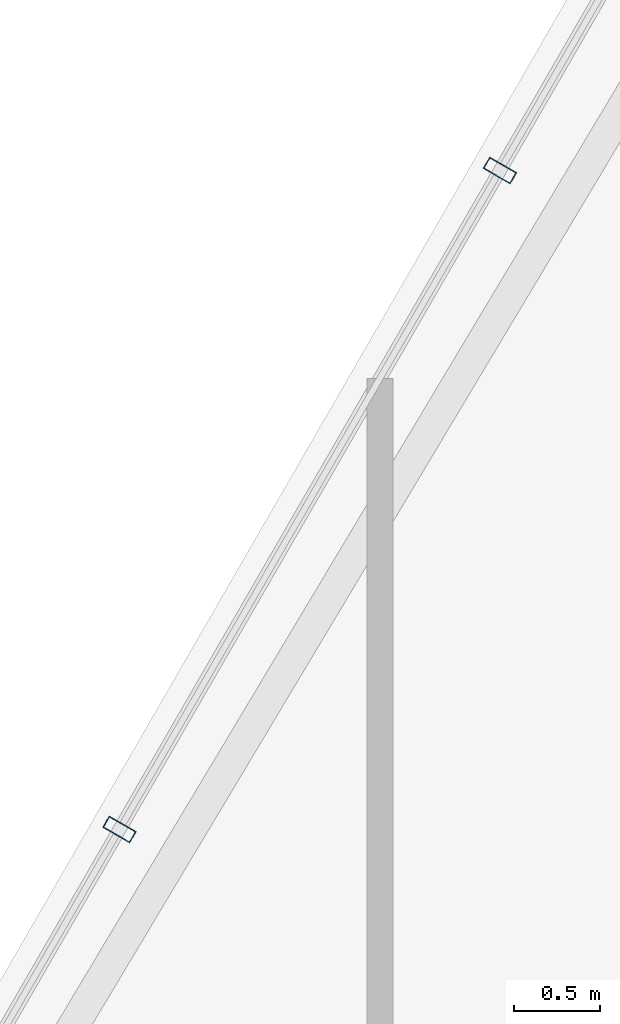
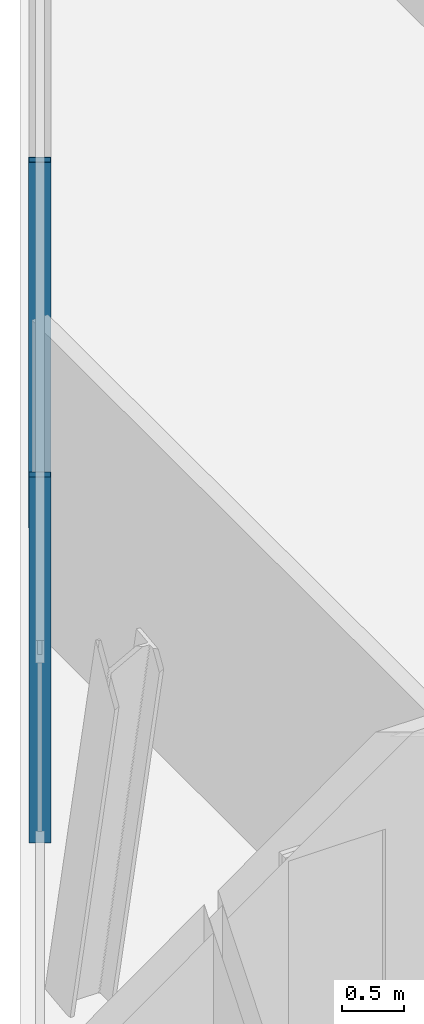
# One storey, part 13 of 32: 2 members, 1 element without a shape of its own.
"""IFC4 building model written with IfcOpenShell, lengths in metres."""

from ifc_helpers import new_model, si_unit, direction, frame, origin, origin_2d, place, context, subcontext, project, spatial, hollow_rectangle, extrude, material, layer, layer_set, material_profile, profile_set, type_object, element, aggregate, save


model = new_model("IFC4")

# Units and contexts
model_context = context("Model", 3, precision=1e-05, world=origin(), true_north=direction((0.0, 1.0)))
body_context = subcontext(model_context, "Body", "Model", "MODEL_VIEW")
ifc_project = project(units=[si_unit("LENGTHUNIT", "METRE"), si_unit("AREAUNIT", "SQUARE_METRE"), si_unit("VOLUMEUNIT", "CUBIC_METRE"), si_unit("PLANEANGLEUNIT", "RADIAN"), si_unit("MASSUNIT", "GRAM", prefix="KILO")], contexts=[model_context])

# Site, building, storey
site_placement = place(None, origin())
site = spatial("IfcSite", under=ifc_project, at=site_placement, CompositionType="ELEMENT")
building_placement = place(site_placement, origin())
building = spatial("IfcBuilding", under=site, at=building_placement, Name="Ndaravel Arena Tower", CompositionType="ELEMENT")
storey_placement = place(building_placement, frame((0.0, 0.0, 259.800048828125)))
storey = spatial("IfcBuildingStorey", under=building, at=storey_placement, Name="L63", CompositionType="ELEMENT", Elevation=259.800048828125)

# Curtain wall, members
ifc_material_1 = material(Name="Aluminium", Category="aluminium")
ifc_layer = layer(ifc_material_1, 0.179931640625)
ifc_layer_set = layer_set([ifc_layer], Name="Aluminium")
curtain_wall_type = type_object("IfcCurtainWallType", Name="CW-SYS-03", PredefinedType="NOTDEFINED", material=ifc_layer_set)
curtain_wall_placement = place(storey_placement, origin())
curtain_wall = element("IfcCurtainWall", 1, at=curtain_wall_placement, inside=storey, type_object=curtain_wall_type, Name="L63 Faceted Crystal Curtain Wall CW-L63-E05", PredefinedType="NOTDEFINED")
ifc_material_2 = material(Name="Aluminium", Category="aluminium")
ifc_material_profile = material_profile(ifc_material_2, hollow_rectangle(XDim=0.074951171875, YDim=0.179931640625, WallThickness=0.00390625, at=origin_2d()), Name="CW MULLION 75x180x4")
ifc_profile_set = profile_set([ifc_material_profile], Name="Aluminium")
member_type = type_object("IfcMemberType", Name="MEM-CW-MUL180", PredefinedType="MULLION", material=ifc_profile_set)
member_1_placement = place(storey_placement, frame((32.38525390625, 33.246337890625, 0.0), z_axis=(0.0, 0.0, 1.0), x_axis=(-0.5, -0.866025403784, 0.0)))
member_1 = element("IfcMember", 2, at=member_1_placement, type_object=member_type, Name="CW-L63-E05 Mullion 03", PredefinedType="MULLION", context=body_context, shape_type="SweptSolid", body=[
    extrude(hollow_rectangle(XDim=0.074951171875, YDim=0.179931640625, WallThickness=0.00390625, at=origin_2d()), origin(), (0.0, 0.0, 1.0), 3.579833984375),
])
member_2_placement = place(storey_placement, frame((30.18505859375, 29.435302734375, 0.0), z_axis=(0.0, 0.0, 1.0), x_axis=(-0.5, -0.866025403784, 0.0)))
member_2 = element("IfcMember", 3, at=member_2_placement, type_object=member_type, Name="CW-L63-E05 Mullion 04", PredefinedType="MULLION", context=body_context, shape_type="SweptSolid", body=[
    extrude(hollow_rectangle(XDim=0.074951171875, YDim=0.179931640625, WallThickness=0.00390625, at=origin_2d()), origin(), (0.0, 0.0, 1.0), 3.579833984375),
])
aggregate(curtain_wall, [member_1, member_2])

save(model, "model.ifc")
